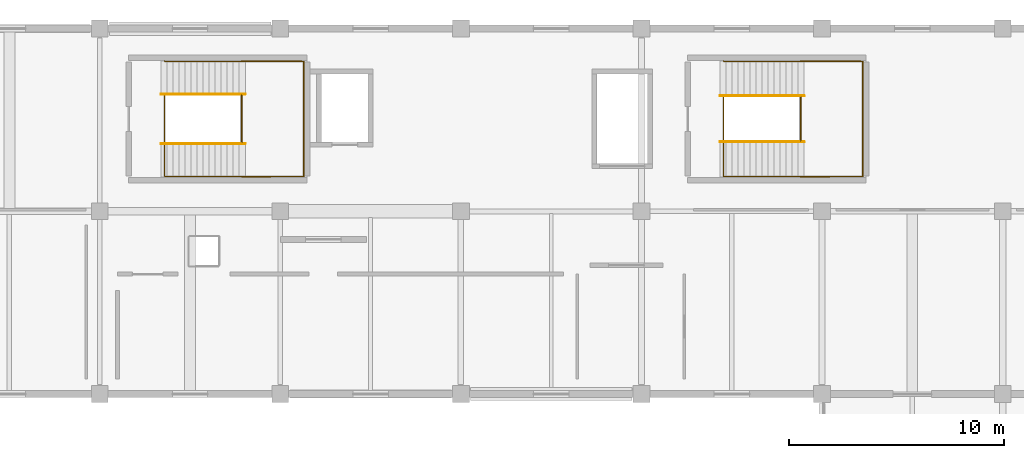
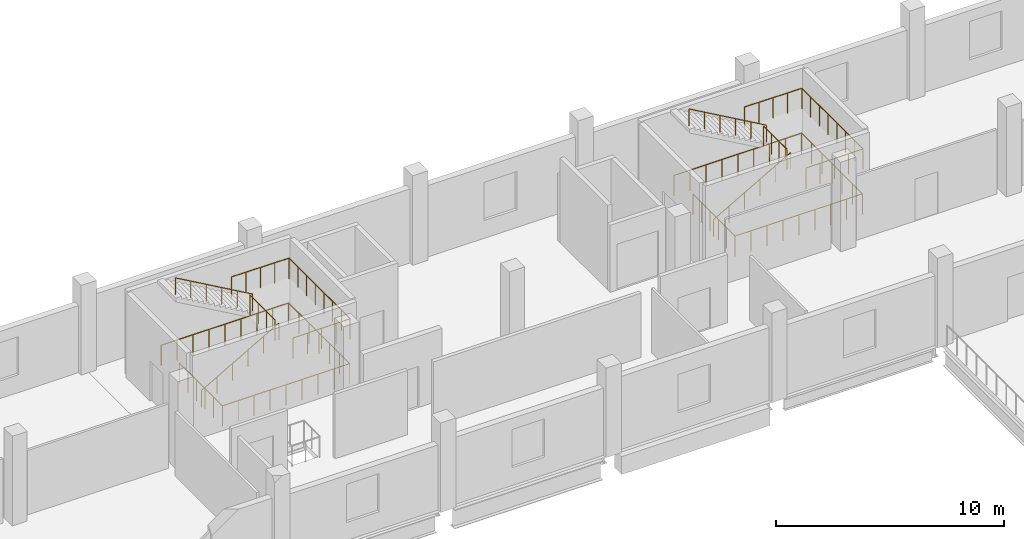
# One storey, part 117 of 117: 10 railings.
"""IFC4 building model written with IfcOpenShell, lengths in metres."""

from ifc_helpers import new_model, si_unit, direction, frame, origin, origin_2d, place, context, subcontext, project, spatial, circle, extrude, material, type_object, element, save


model = new_model("IFC4")

# Units and contexts
model_context = context("Model", 3, precision=1e-05, world=origin(), true_north=direction((0.0, 1.0)))
body_context = subcontext(model_context, "Body", "Model", "MODEL_VIEW")
ifc_project = project(units=[si_unit("LENGTHUNIT", "METRE"), si_unit("AREAUNIT", "SQUARE_METRE"), si_unit("VOLUMEUNIT", "CUBIC_METRE"), si_unit("PLANEANGLEUNIT", "RADIAN"), si_unit("MASSUNIT", "GRAM", prefix="KILO")], contexts=[model_context])

# Site, building, storey
site_placement = place(None, origin())
site = spatial("IfcSite", under=ifc_project, at=site_placement, CompositionType="ELEMENT")
building_placement = place(site_placement, origin())
building = spatial("IfcBuilding", under=site, at=building_placement, Name="Solvento Point Concert Hall", CompositionType="ELEMENT")
storey_placement = place(building_placement, frame((0.0, 0.0, 5.39990234375)))
storey = spatial("IfcBuildingStorey", under=building, at=storey_placement, Name="L01", CompositionType="ELEMENT", Elevation=5.39990234375)

# Railings
ifc_material_1 = material(Name="Brushed Stainless Steel Balustrade", Category="steel")
railing_type_1 = type_object("IfcRailingType", Name="StairHandrail_915", PredefinedType="HANDRAIL", material=ifc_material_1)
railing_1_placement = place(storey_placement, frame((169.64990234375, 130.64990234375, 0.16015625)))
element("IfcRailing", 1, at=railing_1_placement, inside=storey, type_object=railing_type_1, Name="Stair handrail HR-01 ST-01 L01 F1", PredefinedType="HANDRAIL", context=body_context, shape_type="SweptSolid", body=[
    extrude(circle(Radius=0.0224609375, at=origin_2d()), frame((0.0, 0.0, 0.892578125), z_axis=(0.86825312469, 0.0, 0.496121468458), x_axis=(0.0, 1.0, 0.0)), (0.0, 0.0, 1.0), 4.514892578125),
    extrude(circle(Radius=0.01904296875, at=origin_2d()), origin(), (0.0, 0.0, 1.0), 0.8701171875),
    extrude(circle(Radius=0.01904296875, at=origin_2d()), frame((0.783935546875, 0.0, 0.447998046875)), (0.0, 0.0, 1.0), 0.8701171875),
    extrude(circle(Radius=0.01904296875, at=origin_2d()), frame((1.568115234375, 0.0, 0.89599609375)), (0.0, 0.0, 1.0), 0.8701171875),
    extrude(circle(Radius=0.01904296875, at=origin_2d()), frame((2.35205078125, 0.0, 1.343994140625)), (0.0, 0.0, 1.0), 0.8701171875),
    extrude(circle(Radius=0.01904296875, at=origin_2d()), frame((3.13623046875, 0.0, 1.7919921875)), (0.0, 0.0, 1.0), 0.8701171875),
    extrude(circle(Radius=0.01904296875, at=origin_2d()), frame((3.920166015625, 0.0, 2.239990234375)), (0.0, 0.0, 1.0), 0.8701171875),
])
railing_2_placement = place(storey_placement, frame((173.570068359375, 132.949951171875, 2.56005859375)))
element("IfcRailing", 2, at=railing_2_placement, inside=storey, type_object=railing_type_1, Name="Stair handrail HR-01 ST-01 L01 F2", PredefinedType="HANDRAIL", context=body_context, shape_type="SweptSolid", body=[
    extrude(circle(Radius=0.0224609375, at=origin_2d()), frame((0.0, 0.0, 0.892578125), z_axis=(-0.86825312469, 0.0, 0.496121468458), x_axis=(0.0, -1.0, 0.0)), (0.0, 0.0, 1.0), 4.514892578125),
    extrude(circle(Radius=0.01904296875, at=origin_2d()), origin(), (0.0, 0.0, 1.0), 0.8701171875),
    extrude(circle(Radius=0.01904296875, at=origin_2d()), frame((-0.783935546875, 0.0, 0.447998046875)), (0.0, 0.0, 1.0), 0.8701171875),
    extrude(circle(Radius=0.01904296875, at=origin_2d()), frame((-1.568115234375, 0.0, 0.89599609375)), (0.0, 0.0, 1.0), 0.8701171875),
    extrude(circle(Radius=0.01904296875, at=origin_2d()), frame((-2.35205078125, 0.0, 1.343994140625)), (0.0, 0.0, 1.0), 0.8701171875),
    extrude(circle(Radius=0.01904296875, at=origin_2d()), frame((-3.13623046875, 0.0, 1.7919921875)), (0.0, 0.0, 1.0), 0.8701171875),
    extrude(circle(Radius=0.01904296875, at=origin_2d()), frame((-3.920166015625, 0.0, 2.239990234375)), (0.0, 0.0, 1.0), 0.8701171875),
])
railing_3_placement = place(storey_placement, frame((195.64990234375, 130.72998046875, 0.16015625)))
element("IfcRailing", 3, at=railing_3_placement, inside=storey, type_object=railing_type_1, Name="Stair handrail HR-01 ST-02 L01 F1", PredefinedType="HANDRAIL", context=body_context, shape_type="SweptSolid", body=[
    extrude(circle(Radius=0.0224609375, at=origin_2d()), frame((0.0, 0.0, 0.892578125), z_axis=(0.86825312469, 0.0, 0.496121468458), x_axis=(0.0, 1.0, 0.0)), (0.0, 0.0, 1.0), 4.514892578125),
    extrude(circle(Radius=0.01904296875, at=origin_2d()), origin(), (0.0, 0.0, 1.0), 0.8701171875),
    extrude(circle(Radius=0.01904296875, at=origin_2d()), frame((0.783935546875, 0.0, 0.447998046875)), (0.0, 0.0, 1.0), 0.8701171875),
    extrude(circle(Radius=0.01904296875, at=origin_2d()), frame((1.568115234375, 0.0, 0.89599609375)), (0.0, 0.0, 1.0), 0.8701171875),
    extrude(circle(Radius=0.01904296875, at=origin_2d()), frame((2.35205078125, 0.0, 1.343994140625)), (0.0, 0.0, 1.0), 0.8701171875),
    extrude(circle(Radius=0.01904296875, at=origin_2d()), frame((3.13623046875, 0.0, 1.7919921875)), (0.0, 0.0, 1.0), 0.8701171875),
    extrude(circle(Radius=0.01904296875, at=origin_2d()), frame((3.920166015625, 0.0, 2.239990234375)), (0.0, 0.0, 1.0), 0.8701171875),
])
railing_4_placement = place(storey_placement, frame((199.570068359375, 132.8701171875, 2.56005859375)))
element("IfcRailing", 4, at=railing_4_placement, inside=storey, type_object=railing_type_1, Name="Stair handrail HR-01 ST-02 L01 F2", PredefinedType="HANDRAIL", context=body_context, shape_type="SweptSolid", body=[
    extrude(circle(Radius=0.0224609375, at=origin_2d()), frame((0.0, 0.0, 0.892578125), z_axis=(-0.86825312469, 0.0, 0.496121468458), x_axis=(0.0, -1.0, 0.0)), (0.0, 0.0, 1.0), 4.514892578125),
    extrude(circle(Radius=0.01904296875, at=origin_2d()), origin(), (0.0, 0.0, 1.0), 0.8701171875),
    extrude(circle(Radius=0.01904296875, at=origin_2d()), frame((-0.783935546875, 0.0, 0.447998046875)), (0.0, 0.0, 1.0), 0.8701171875),
    extrude(circle(Radius=0.01904296875, at=origin_2d()), frame((-1.568115234375, 0.0, 0.89599609375)), (0.0, 0.0, 1.0), 0.8701171875),
    extrude(circle(Radius=0.01904296875, at=origin_2d()), frame((-2.35205078125, 0.0, 1.343994140625)), (0.0, 0.0, 1.0), 0.8701171875),
    extrude(circle(Radius=0.01904296875, at=origin_2d()), frame((-3.13623046875, 0.0, 1.7919921875)), (0.0, 0.0, 1.0), 0.8701171875),
    extrude(circle(Radius=0.01904296875, at=origin_2d()), frame((-3.920166015625, 0.0, 2.239990234375)), (0.0, 0.0, 1.0), 0.8701171875),
])
ifc_material_2 = material(Name="Brushed Stainless Steel Balustrade", Category="steel")
railing_type_2 = type_object("IfcRailingType", Name="StairWellGuard_1100", PredefinedType="BALUSTRADE", material=ifc_material_2)
railing_5_placement = place(storey_placement, frame((169.820068359375, 132.89990234375, 0.0)))
element("IfcRailing", 5, at=railing_5_placement, inside=storey, type_object=railing_type_2, Name="Stairwell guard GR-02 ST-01 L01", PredefinedType="BALUSTRADE", context=body_context, shape_type="SweptSolid", body=[
    extrude(circle(Radius=0.02392578125, at=origin_2d()), frame((0.0, 0.0, 1.09619140625), z_axis=(0.0, -1.0, 0.0), x_axis=(1.0, 0.0, 0.0)), (0.0, 0.0, 1.0), 3.77978515625),
    extrude(circle(Radius=0.02392578125, at=origin_2d()), frame((0.0, -3.77978515625, 1.09619140625), z_axis=(1.0, 0.0, 0.0), x_axis=(0.0, 1.0, 0.0)), (0.0, 0.0, 1.0), 6.4599609375),
    extrude(circle(Radius=0.02392578125, at=origin_2d()), frame((6.4599609375, -3.77978515625, 1.09619140625), z_axis=(0.0, 1.0, 0.0), x_axis=(-1.0, 0.0, 0.0)), (0.0, 0.0, 1.0), 5.35986328125),
    extrude(circle(Radius=0.02392578125, at=origin_2d()), frame((6.4599609375, 1.580078125, 1.09619140625), z_axis=(-1.0, 0.0, 0.0), x_axis=(0.0, -1.0, 0.0)), (0.0, 0.0, 1.0), 6.4599609375),
    extrude(circle(Radius=0.02392578125, at=origin_2d()), frame((0.0, 1.580078125, 1.09619140625), z_axis=(0.0, 1.0, 0.0), x_axis=(-1.0, 0.0, 0.0)), (0.0, 0.0, 1.0), 0.02001953125),
    extrude(circle(Radius=0.02099609375, at=origin_2d()), origin(), (0.0, 0.0, 1.0), 1.072021484375),
    extrude(circle(Radius=0.02099609375, at=origin_2d()), frame((0.0, -0.755859375, 0.0)), (0.0, 0.0, 1.0), 1.072021484375),
    extrude(circle(Radius=0.02099609375, at=origin_2d()), frame((0.0, -1.511962890625, 0.0)), (0.0, 0.0, 1.0), 1.072021484375),
    extrude(circle(Radius=0.02099609375, at=origin_2d()), frame((0.0, -2.267822265625, 0.0)), (0.0, 0.0, 1.0), 1.072021484375),
    extrude(circle(Radius=0.02099609375, at=origin_2d()), frame((0.0, -3.02392578125, 0.0)), (0.0, 0.0, 1.0), 1.072021484375),
    extrude(circle(Radius=0.02099609375, at=origin_2d()), frame((0.0, -3.77978515625, 0.0)), (0.0, 0.0, 1.0), 1.072021484375),
    extrude(circle(Radius=0.02099609375, at=origin_2d()), frame((0.8076171875, -3.77978515625, 0.0)), (0.0, 0.0, 1.0), 1.072021484375),
    extrude(circle(Radius=0.02099609375, at=origin_2d()), frame((1.614990234375, -3.77978515625, 0.0)), (0.0, 0.0, 1.0), 1.072021484375),
    extrude(circle(Radius=0.02099609375, at=origin_2d()), frame((2.42236328125, -3.77978515625, 0.0)), (0.0, 0.0, 1.0), 1.072021484375),
    extrude(circle(Radius=0.02099609375, at=origin_2d()), frame((3.22998046875, -3.77978515625, 0.0)), (0.0, 0.0, 1.0), 1.072021484375),
    extrude(circle(Radius=0.02099609375, at=origin_2d()), frame((4.03759765625, -3.77978515625, 0.0)), (0.0, 0.0, 1.0), 1.072021484375),
    extrude(circle(Radius=0.02099609375, at=origin_2d()), frame((4.844970703125, -3.77978515625, 0.0)), (0.0, 0.0, 1.0), 1.072021484375),
    extrude(circle(Radius=0.02099609375, at=origin_2d()), frame((5.65234375, -3.77978515625, 0.0)), (0.0, 0.0, 1.0), 1.072021484375),
    extrude(circle(Radius=0.02099609375, at=origin_2d()), frame((6.4599609375, -3.77978515625, 0.0)), (0.0, 0.0, 1.0), 1.072021484375),
    extrude(circle(Radius=0.02099609375, at=origin_2d()), frame((6.4599609375, -2.886474609375, 0.0)), (0.0, 0.0, 1.0), 1.072021484375),
    extrude(circle(Radius=0.02099609375, at=origin_2d()), frame((6.4599609375, -1.9931640625, 0.0)), (0.0, 0.0, 1.0), 1.072021484375),
    extrude(circle(Radius=0.02099609375, at=origin_2d()), frame((6.4599609375, -1.099853515625, 0.0)), (0.0, 0.0, 1.0), 1.072021484375),
    extrude(circle(Radius=0.02099609375, at=origin_2d()), frame((6.4599609375, -0.20654296875, 0.0)), (0.0, 0.0, 1.0), 1.072021484375),
    extrude(circle(Radius=0.02099609375, at=origin_2d()), frame((6.4599609375, 0.686767578125, 0.0)), (0.0, 0.0, 1.0), 1.072021484375),
    extrude(circle(Radius=0.02099609375, at=origin_2d()), frame((6.4599609375, 1.580078125, 0.0)), (0.0, 0.0, 1.0), 1.072021484375),
    extrude(circle(Radius=0.02099609375, at=origin_2d()), frame((5.65234375, 1.580078125, 0.0)), (0.0, 0.0, 1.0), 1.072021484375),
    extrude(circle(Radius=0.02099609375, at=origin_2d()), frame((4.844970703125, 1.580078125, 0.0)), (0.0, 0.0, 1.0), 1.072021484375),
    extrude(circle(Radius=0.02099609375, at=origin_2d()), frame((4.03759765625, 1.580078125, 0.0)), (0.0, 0.0, 1.0), 1.072021484375),
    extrude(circle(Radius=0.02099609375, at=origin_2d()), frame((3.22998046875, 1.580078125, 0.0)), (0.0, 0.0, 1.0), 1.072021484375),
    extrude(circle(Radius=0.02099609375, at=origin_2d()), frame((2.42236328125, 1.580078125, 0.0)), (0.0, 0.0, 1.0), 1.072021484375),
    extrude(circle(Radius=0.02099609375, at=origin_2d()), frame((1.614990234375, 1.580078125, 0.0)), (0.0, 0.0, 1.0), 1.072021484375),
    extrude(circle(Radius=0.02099609375, at=origin_2d()), frame((0.8076171875, 1.580078125, 0.0)), (0.0, 0.0, 1.0), 1.072021484375),
    extrude(circle(Radius=0.02099609375, at=origin_2d()), frame((0.0, 1.580078125, 0.0)), (0.0, 0.0, 1.0), 1.072021484375),
    extrude(circle(Radius=0.02099609375, at=origin_2d()), frame((0.0, 1.60009765625, 0.0)), (0.0, 0.0, 1.0), 1.072021484375),
])
railing_6_placement = place(storey_placement, frame((173.39990234375, 129.10009765625, 2.400146484375)))
element("IfcRailing", 6, at=railing_6_placement, inside=storey, type_object=railing_type_2, Name="Half-landing perimeter guard GR-02 ST-01 L01", PredefinedType="BALUSTRADE", context=body_context, shape_type="SweptSolid", body=[
    extrude(circle(Radius=0.02392578125, at=origin_2d()), frame((0.0, 0.0, 1.09619140625), z_axis=(0.999976175575, 0.006902773499, 0.0), x_axis=(-0.006902773499, 0.999976175575, 0.0)), (0.0, 0.0, 1.0), 2.900146484375),
    extrude(circle(Radius=0.02392578125, at=origin_2d()), frame((2.900146484375, 0.02001953125, 1.09619140625), z_axis=(0.0, 1.0, 0.0), x_axis=(-1.0, 0.0, 0.0)), (0.0, 0.0, 1.0), 5.35986328125),
    extrude(circle(Radius=0.02392578125, at=origin_2d()), frame((2.900146484375, 5.3798828125, 1.09619140625), z_axis=(-0.999976175575, 0.006902773499, 0.0), x_axis=(-0.006902773499, -0.999976175575, 0.0)), (0.0, 0.0, 1.0), 2.900146484375),
    extrude(circle(Radius=0.02099609375, at=origin_2d()), origin(), (0.0, 0.0, 1.0), 1.072021484375),
    extrude(circle(Radius=0.02099609375, at=origin_2d()), frame((0.72509765625, 0.0048828125, 0.0)), (0.0, 0.0, 1.0), 1.072021484375),
    extrude(circle(Radius=0.02099609375, at=origin_2d()), frame((1.4501953125, 0.010009765625, 0.0)), (0.0, 0.0, 1.0), 1.072021484375),
    extrude(circle(Radius=0.02099609375, at=origin_2d()), frame((2.175048828125, 0.01513671875, 0.0)), (0.0, 0.0, 1.0), 1.072021484375),
    extrude(circle(Radius=0.02099609375, at=origin_2d()), frame((2.900146484375, 0.02001953125, 0.0)), (0.0, 0.0, 1.0), 1.072021484375),
    extrude(circle(Radius=0.02099609375, at=origin_2d()), frame((2.900146484375, 0.78564453125, 0.0)), (0.0, 0.0, 1.0), 1.072021484375),
    extrude(circle(Radius=0.02099609375, at=origin_2d()), frame((2.900146484375, 1.551513671875, 0.0)), (0.0, 0.0, 1.0), 1.072021484375),
    extrude(circle(Radius=0.02099609375, at=origin_2d()), frame((2.900146484375, 2.317138671875, 0.0)), (0.0, 0.0, 1.0), 1.072021484375),
    extrude(circle(Radius=0.02099609375, at=origin_2d()), frame((2.900146484375, 3.082763671875, 0.0)), (0.0, 0.0, 1.0), 1.072021484375),
    extrude(circle(Radius=0.02099609375, at=origin_2d()), frame((2.900146484375, 3.848388671875, 0.0)), (0.0, 0.0, 1.0), 1.072021484375),
    extrude(circle(Radius=0.02099609375, at=origin_2d()), frame((2.900146484375, 4.6142578125, 0.0)), (0.0, 0.0, 1.0), 1.072021484375),
    extrude(circle(Radius=0.02099609375, at=origin_2d()), frame((2.900146484375, 5.3798828125, 0.0)), (0.0, 0.0, 1.0), 1.072021484375),
    extrude(circle(Radius=0.02099609375, at=origin_2d()), frame((2.175048828125, 5.384765625, 0.0)), (0.0, 0.0, 1.0), 1.072021484375),
    extrude(circle(Radius=0.02099609375, at=origin_2d()), frame((1.4501953125, 5.389892578125, 0.0)), (0.0, 0.0, 1.0), 1.072021484375),
    extrude(circle(Radius=0.02099609375, at=origin_2d()), frame((0.72509765625, 5.39501953125, 0.0)), (0.0, 0.0, 1.0), 1.072021484375),
    extrude(circle(Radius=0.02099609375, at=origin_2d()), frame((0.0, 5.39990234375, 0.0)), (0.0, 0.0, 1.0), 1.072021484375),
])
railing_7_placement = place(storey_placement, frame((173.39990234375, 130.699951171875, 2.400146484375)))
element("IfcRailing", 7, at=railing_7_placement, inside=storey, type_object=railing_type_2, Name="Half-landing slot guard GR-02 ST-01 L01", PredefinedType="BALUSTRADE", context=body_context, shape_type="SweptSolid", body=[
    extrude(circle(Radius=0.02392578125, at=origin_2d()), frame((0.0, 0.0, 1.09619140625), z_axis=(0.0, 1.0, 0.0), x_axis=(-1.0, 0.0, 0.0)), (0.0, 0.0, 1.0), 2.199951171875),
    extrude(circle(Radius=0.02099609375, at=origin_2d()), origin(), (0.0, 0.0, 1.0), 1.072021484375),
    extrude(circle(Radius=0.02099609375, at=origin_2d()), frame((0.0, 0.7333984375, 0.0)), (0.0, 0.0, 1.0), 1.072021484375),
    extrude(circle(Radius=0.02099609375, at=origin_2d()), frame((0.0, 1.466552734375, 0.0)), (0.0, 0.0, 1.0), 1.072021484375),
    extrude(circle(Radius=0.02099609375, at=origin_2d()), frame((0.0, 2.199951171875, 0.0)), (0.0, 0.0, 1.0), 1.072021484375),
])
railing_8_placement = place(storey_placement, frame((195.820068359375, 132.820068359375, 0.0)))
element("IfcRailing", 8, at=railing_8_placement, inside=storey, type_object=railing_type_2, Name="Stairwell guard GR-02 ST-02 L01", PredefinedType="BALUSTRADE", context=body_context, shape_type="SweptSolid", body=[
    extrude(circle(Radius=0.02392578125, at=origin_2d()), frame((0.0, 0.0, 1.09619140625), z_axis=(0.0, -1.0, 0.0), x_axis=(1.0, 0.0, 0.0)), (0.0, 0.0, 1.0), 3.699951171875),
    extrude(circle(Radius=0.02392578125, at=origin_2d()), frame((0.0, -3.699951171875, 1.09619140625), z_axis=(1.0, 0.0, 0.0), x_axis=(0.0, 1.0, 0.0)), (0.0, 0.0, 1.0), 6.4599609375),
    extrude(circle(Radius=0.02392578125, at=origin_2d()), frame((6.4599609375, -3.699951171875, 1.09619140625), z_axis=(0.0, 1.0, 0.0), x_axis=(-1.0, 0.0, 0.0)), (0.0, 0.0, 1.0), 5.35986328125),
    extrude(circle(Radius=0.02392578125, at=origin_2d()), frame((6.4599609375, 1.659912109375, 1.09619140625), z_axis=(-1.0, 0.0, 0.0), x_axis=(0.0, -1.0, 0.0)), (0.0, 0.0, 1.0), 6.4599609375),
    extrude(circle(Radius=0.02392578125, at=origin_2d()), frame((0.0, 1.659912109375, 1.09619140625), z_axis=(0.0, 1.0, 0.0), x_axis=(-1.0, 0.0, 0.0)), (0.0, 0.0, 1.0), 0.02001953125),
    extrude(circle(Radius=0.02099609375, at=origin_2d()), origin(), (0.0, 0.0, 1.0), 1.072021484375),
    extrude(circle(Radius=0.02099609375, at=origin_2d()), frame((0.0, -0.739990234375, 0.0)), (0.0, 0.0, 1.0), 1.072021484375),
    extrude(circle(Radius=0.02099609375, at=origin_2d()), frame((0.0, -1.47998046875, 0.0)), (0.0, 0.0, 1.0), 1.072021484375),
    extrude(circle(Radius=0.02099609375, at=origin_2d()), frame((0.0, -2.219970703125, 0.0)), (0.0, 0.0, 1.0), 1.072021484375),
    extrude(circle(Radius=0.02099609375, at=origin_2d()), frame((0.0, -2.9599609375, 0.0)), (0.0, 0.0, 1.0), 1.072021484375),
    extrude(circle(Radius=0.02099609375, at=origin_2d()), frame((0.0, -3.699951171875, 0.0)), (0.0, 0.0, 1.0), 1.072021484375),
    extrude(circle(Radius=0.02099609375, at=origin_2d()), frame((0.8076171875, -3.699951171875, 0.0)), (0.0, 0.0, 1.0), 1.072021484375),
    extrude(circle(Radius=0.02099609375, at=origin_2d()), frame((1.614990234375, -3.699951171875, 0.0)), (0.0, 0.0, 1.0), 1.072021484375),
    extrude(circle(Radius=0.02099609375, at=origin_2d()), frame((2.42236328125, -3.699951171875, 0.0)), (0.0, 0.0, 1.0), 1.072021484375),
    extrude(circle(Radius=0.02099609375, at=origin_2d()), frame((3.22998046875, -3.699951171875, 0.0)), (0.0, 0.0, 1.0), 1.072021484375),
    extrude(circle(Radius=0.02099609375, at=origin_2d()), frame((4.03759765625, -3.699951171875, 0.0)), (0.0, 0.0, 1.0), 1.072021484375),
    extrude(circle(Radius=0.02099609375, at=origin_2d()), frame((4.844970703125, -3.699951171875, 0.0)), (0.0, 0.0, 1.0), 1.072021484375),
    extrude(circle(Radius=0.02099609375, at=origin_2d()), frame((5.65234375, -3.699951171875, 0.0)), (0.0, 0.0, 1.0), 1.072021484375),
    extrude(circle(Radius=0.02099609375, at=origin_2d()), frame((6.4599609375, -3.699951171875, 0.0)), (0.0, 0.0, 1.0), 1.072021484375),
    extrude(circle(Radius=0.02099609375, at=origin_2d()), frame((6.4599609375, -2.806640625, 0.0)), (0.0, 0.0, 1.0), 1.072021484375),
    extrude(circle(Radius=0.02099609375, at=origin_2d()), frame((6.4599609375, -1.913330078125, 0.0)), (0.0, 0.0, 1.0), 1.072021484375),
    extrude(circle(Radius=0.02099609375, at=origin_2d()), frame((6.4599609375, -1.02001953125, 0.0)), (0.0, 0.0, 1.0), 1.072021484375),
    extrude(circle(Radius=0.02099609375, at=origin_2d()), frame((6.4599609375, -0.126708984375, 0.0)), (0.0, 0.0, 1.0), 1.072021484375),
    extrude(circle(Radius=0.02099609375, at=origin_2d()), frame((6.4599609375, 0.7666015625, 0.0)), (0.0, 0.0, 1.0), 1.072021484375),
    extrude(circle(Radius=0.02099609375, at=origin_2d()), frame((6.4599609375, 1.659912109375, 0.0)), (0.0, 0.0, 1.0), 1.072021484375),
    extrude(circle(Radius=0.02099609375, at=origin_2d()), frame((5.65234375, 1.659912109375, 0.0)), (0.0, 0.0, 1.0), 1.072021484375),
    extrude(circle(Radius=0.02099609375, at=origin_2d()), frame((4.844970703125, 1.659912109375, 0.0)), (0.0, 0.0, 1.0), 1.072021484375),
    extrude(circle(Radius=0.02099609375, at=origin_2d()), frame((4.03759765625, 1.659912109375, 0.0)), (0.0, 0.0, 1.0), 1.072021484375),
    extrude(circle(Radius=0.02099609375, at=origin_2d()), frame((3.22998046875, 1.659912109375, 0.0)), (0.0, 0.0, 1.0), 1.072021484375),
    extrude(circle(Radius=0.02099609375, at=origin_2d()), frame((2.42236328125, 1.659912109375, 0.0)), (0.0, 0.0, 1.0), 1.072021484375),
    extrude(circle(Radius=0.02099609375, at=origin_2d()), frame((1.614990234375, 1.659912109375, 0.0)), (0.0, 0.0, 1.0), 1.072021484375),
    extrude(circle(Radius=0.02099609375, at=origin_2d()), frame((0.8076171875, 1.659912109375, 0.0)), (0.0, 0.0, 1.0), 1.072021484375),
    extrude(circle(Radius=0.02099609375, at=origin_2d()), frame((0.0, 1.659912109375, 0.0)), (0.0, 0.0, 1.0), 1.072021484375),
    extrude(circle(Radius=0.02099609375, at=origin_2d()), frame((0.0, 1.679931640625, 0.0)), (0.0, 0.0, 1.0), 1.072021484375),
])
railing_9_placement = place(storey_placement, frame((199.39990234375, 129.10009765625, 2.400146484375)))
element("IfcRailing", 9, at=railing_9_placement, inside=storey, type_object=railing_type_2, Name="Half-landing perimeter guard GR-02 ST-02 L01", PredefinedType="BALUSTRADE", context=body_context, shape_type="SweptSolid", body=[
    extrude(circle(Radius=0.02392578125, at=origin_2d()), frame((0.0, 0.0, 1.09619140625), z_axis=(0.999976175575, 0.006902773499, 0.0), x_axis=(-0.006902773499, 0.999976175575, 0.0)), (0.0, 0.0, 1.0), 2.900146484375),
    extrude(circle(Radius=0.02392578125, at=origin_2d()), frame((2.900146484375, 0.02001953125, 1.09619140625), z_axis=(0.0, 1.0, 0.0), x_axis=(-1.0, 0.0, 0.0)), (0.0, 0.0, 1.0), 5.35986328125),
    extrude(circle(Radius=0.02392578125, at=origin_2d()), frame((2.900146484375, 5.3798828125, 1.09619140625), z_axis=(-0.999976175575, 0.006902773499, 0.0), x_axis=(-0.006902773499, -0.999976175575, 0.0)), (0.0, 0.0, 1.0), 2.900146484375),
    extrude(circle(Radius=0.02099609375, at=origin_2d()), origin(), (0.0, 0.0, 1.0), 1.072021484375),
    extrude(circle(Radius=0.02099609375, at=origin_2d()), frame((0.72509765625, 0.0048828125, 0.0)), (0.0, 0.0, 1.0), 1.072021484375),
    extrude(circle(Radius=0.02099609375, at=origin_2d()), frame((1.4501953125, 0.010009765625, 0.0)), (0.0, 0.0, 1.0), 1.072021484375),
    extrude(circle(Radius=0.02099609375, at=origin_2d()), frame((2.175048828125, 0.01513671875, 0.0)), (0.0, 0.0, 1.0), 1.072021484375),
    extrude(circle(Radius=0.02099609375, at=origin_2d()), frame((2.900146484375, 0.02001953125, 0.0)), (0.0, 0.0, 1.0), 1.072021484375),
    extrude(circle(Radius=0.02099609375, at=origin_2d()), frame((2.900146484375, 0.78564453125, 0.0)), (0.0, 0.0, 1.0), 1.072021484375),
    extrude(circle(Radius=0.02099609375, at=origin_2d()), frame((2.900146484375, 1.551513671875, 0.0)), (0.0, 0.0, 1.0), 1.072021484375),
    extrude(circle(Radius=0.02099609375, at=origin_2d()), frame((2.900146484375, 2.317138671875, 0.0)), (0.0, 0.0, 1.0), 1.072021484375),
    extrude(circle(Radius=0.02099609375, at=origin_2d()), frame((2.900146484375, 3.082763671875, 0.0)), (0.0, 0.0, 1.0), 1.072021484375),
    extrude(circle(Radius=0.02099609375, at=origin_2d()), frame((2.900146484375, 3.848388671875, 0.0)), (0.0, 0.0, 1.0), 1.072021484375),
    extrude(circle(Radius=0.02099609375, at=origin_2d()), frame((2.900146484375, 4.6142578125, 0.0)), (0.0, 0.0, 1.0), 1.072021484375),
    extrude(circle(Radius=0.02099609375, at=origin_2d()), frame((2.900146484375, 5.3798828125, 0.0)), (0.0, 0.0, 1.0), 1.072021484375),
    extrude(circle(Radius=0.02099609375, at=origin_2d()), frame((2.175048828125, 5.384765625, 0.0)), (0.0, 0.0, 1.0), 1.072021484375),
    extrude(circle(Radius=0.02099609375, at=origin_2d()), frame((1.4501953125, 5.389892578125, 0.0)), (0.0, 0.0, 1.0), 1.072021484375),
    extrude(circle(Radius=0.02099609375, at=origin_2d()), frame((0.72509765625, 5.39501953125, 0.0)), (0.0, 0.0, 1.0), 1.072021484375),
    extrude(circle(Radius=0.02099609375, at=origin_2d()), frame((0.0, 5.39990234375, 0.0)), (0.0, 0.0, 1.0), 1.072021484375),
])
railing_10_placement = place(storey_placement, frame((199.39990234375, 130.780029296875, 2.400146484375)))
element("IfcRailing", 10, at=railing_10_placement, inside=storey, type_object=railing_type_2, Name="Half-landing slot guard GR-02 ST-02 L01", PredefinedType="BALUSTRADE", context=body_context, shape_type="SweptSolid", body=[
    extrude(circle(Radius=0.02392578125, at=origin_2d()), frame((0.0, 0.0, 1.09619140625), z_axis=(0.0, 1.0, 0.0), x_axis=(-1.0, 0.0, 0.0)), (0.0, 0.0, 1.0), 2.0400390625),
    extrude(circle(Radius=0.02099609375, at=origin_2d()), origin(), (0.0, 0.0, 1.0), 1.072021484375),
    extrude(circle(Radius=0.02099609375, at=origin_2d()), frame((0.0, 0.679931640625, 0.0)), (0.0, 0.0, 1.0), 1.072021484375),
    extrude(circle(Radius=0.02099609375, at=origin_2d()), frame((0.0, 1.360107421875, 0.0)), (0.0, 0.0, 1.0), 1.072021484375),
    extrude(circle(Radius=0.02099609375, at=origin_2d()), frame((0.0, 2.0400390625, 0.0)), (0.0, 0.0, 1.0), 1.072021484375),
])

save(model, "model.ifc")
